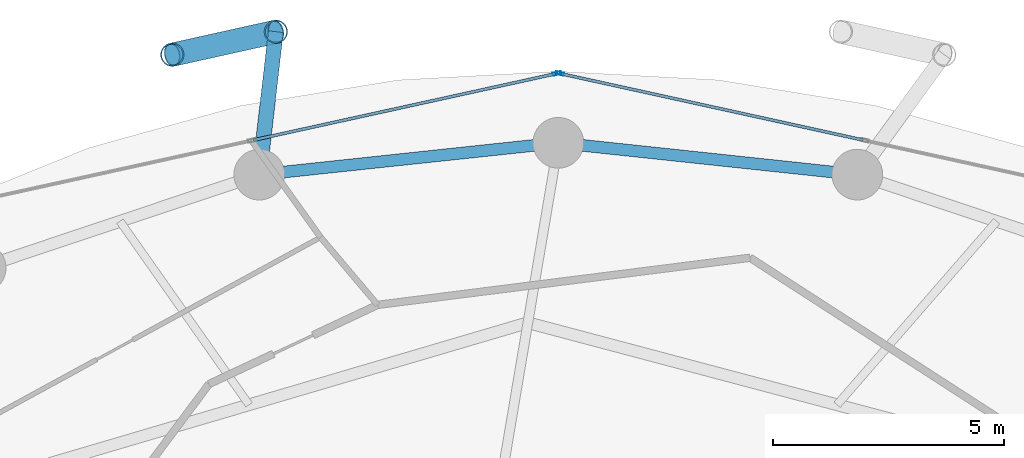
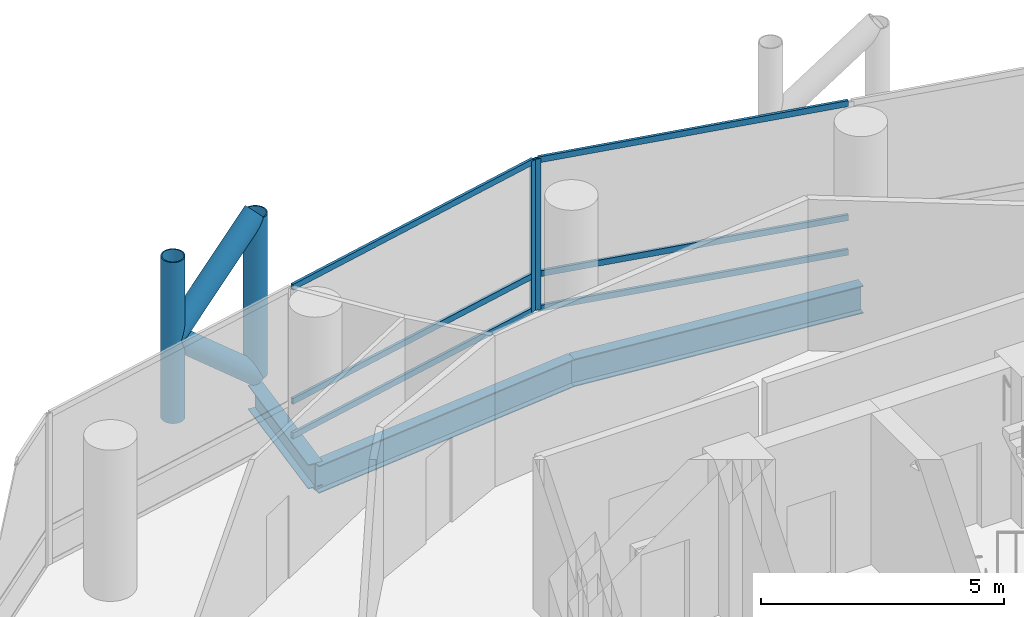
# One storey, part 16 of 24: 12 members, 3 beams, 2 elements without a shape of their own.
"""IFC4 building model written with IfcOpenShell, lengths in metres."""

import ifcopenshell
import ifcopenshell.guid

model = None  # the IFC model being written
_history = None  # IfcOwnerHistory: only IFC2X3 demands one
_inside = {}  # id of a spatial element -> (the spatial element, [elements in it])
_under = {}  # id of a project, library or spatial element -> (it, [spatial elements below it])
_declared = {}  # id of a project -> (the project, [libraries it declares])
_typed = {}  # id of a type object -> (the type object, [elements of that type])
_made_of = {}  # id of a material, layer set ... -> (it, [elements and type objects made of it])


def new_model(schema):
    """Start an empty IFC model of exactly this schema.

    Asked for "IFC4X3", IfcOpenShell would pick the latest addendum, in which some entities
    have other attributes; the version numbers below select the first issue.
    IFC2X3 requires an IfcOwnerHistory on every rooted entity: one is made here for all.
    """
    global model, _history
    if schema == "IFC4X3":
        model = ifcopenshell.file(schema_version=(4, 3, 0, 0))
    else:
        model = ifcopenshell.file(schema=schema)
    _inside.clear()
    _under.clear()
    _declared.clear()
    _typed.clear()
    _made_of.clear()
    _history = None
    if model.schema == "IFC2X3":
        org = make("IfcOrganization", Name="unknown")
        user = make(
            "IfcPersonAndOrganization",
            ThePerson=make("IfcPerson", FamilyName="unknown"),
            TheOrganization=org,
        )
        app = make(
            "IfcApplication",
            ApplicationDeveloper=org,
            Version="unknown",
            ApplicationFullName="unknown",
            ApplicationIdentifier="unknown",
        )
        _history = make(
            "IfcOwnerHistory",
            OwningUser=user,
            OwningApplication=app,
            ChangeAction="ADDED",
            CreationDate=0,
        )
    return model


def make(cls, **values):
    """One entity of the class cls with the attributes given. An attribute that is None is left unset."""
    return model.create_entity(
        cls, **{name: value for name, value in values.items() if value is not None}
    )


def rooted(cls, **values):
    """An entity with a GlobalId (a new one), such as an element, a storey or a relation."""
    return make(cls, GlobalId=ifcopenshell.guid.new(), OwnerHistory=_history, **values)


def si_unit(unit_type, name, prefix=None):
    """IfcSIUnit, for example si_unit("LENGTHUNIT", "METRE", prefix="MILLI")."""
    return make("IfcSIUnit", UnitType=unit_type, Prefix=prefix, Name=name)


def assignment(units):
    """IfcUnitAssignment: the units of a project."""
    return None if units is None else make("IfcUnitAssignment", Units=units)


def point(xyz):
    """IfcCartesianPoint."""
    return None if xyz is None else make("IfcCartesianPoint", Coordinates=xyz)


def direction(xyz):
    """IfcDirection."""
    return None if xyz is None else make("IfcDirection", DirectionRatios=xyz)


def frame(location, z_axis=None, x_axis=None):
    """IfcAxis2Placement3D, a coordinate frame: its origin and axes. An axis left out is left unset."""
    return make(
        "IfcAxis2Placement3D",
        Location=point(location),
        Axis=direction(z_axis),
        RefDirection=direction(x_axis),
    )


def frame_2d(location, x_axis=None):
    """IfcAxis2Placement2D, a coordinate frame in the plane: its origin and x axis."""
    return make(
        "IfcAxis2Placement2D", Location=point(location), RefDirection=direction(x_axis)
    )


def origin():
    """The frame at (0, 0, 0) with its axes left unset."""
    return frame((0.0, 0.0, 0.0))


def origin_2d():
    """The frame at (0, 0) in the plane with its x axis left unset."""
    return frame_2d((0.0, 0.0))


def place(relative_to, where):
    """IfcLocalPlacement: puts the frame where relative to a parent placement (None: the world)."""
    return make(
        "IfcLocalPlacement", PlacementRelTo=relative_to, RelativePlacement=where
    )


def context(
    kind, dimensions, precision=None, world=None, true_north=None, identifier=None
):
    """IfcGeometricRepresentationContext, for example the 3D "Model" context."""
    return make(
        "IfcGeometricRepresentationContext",
        ContextIdentifier=identifier,
        ContextType=kind,
        CoordinateSpaceDimension=dimensions,
        Precision=precision,
        WorldCoordinateSystem=world,
        TrueNorth=true_north,
    )


def subcontext(parent, identifier, kind, view, scale=None):
    """IfcGeometricRepresentationSubContext, for example "Body" below "Model"."""
    return make(
        "IfcGeometricRepresentationSubContext",
        ContextIdentifier=identifier,
        ContextType=kind,
        ParentContext=parent,
        TargetScale=scale,
        TargetView=view,
    )


def project(units=None, contexts=None):
    """IfcProject with its units and contexts."""
    return rooted(
        "IfcProject",
        Name="project",
        RepresentationContexts=contexts,
        UnitsInContext=assignment(units),
    )


def spatial(cls, under=None, at=None, **own):
    """A site, building, storey or space (cls), placed at a placement, below another one or the project."""
    s = rooted(cls, ObjectPlacement=at, **own)
    if under is not None:
        _under.setdefault(under.id(), (under, []))[1].append(s)
    return s


def profile(cls, at=None, kind="AREA", **sizes):
    """A parametric profile (cls). Its sizes go by their IFC names, for example OverallWidth=200.0."""
    return make(cls, ProfileType=kind, Position=at, **sizes)


def hollow_rectangle(**sizes):
    """IfcRectangleHollowProfileDef."""
    return profile("IfcRectangleHollowProfileDef", **sizes)


def hollow_circle(**sizes):
    """IfcCircleHollowProfileDef."""
    return profile("IfcCircleHollowProfileDef", **sizes)


def i_section(**sizes):
    """IfcIShapeProfileDef."""
    return profile("IfcIShapeProfileDef", **sizes)


def extrude(swept, where, along, depth):
    """IfcExtrudedAreaSolid: the profile swept, set in the frame where, extruded along a direction by depth."""
    return make(
        "IfcExtrudedAreaSolid",
        SweptArea=swept,
        Position=where,
        ExtrudedDirection=direction(along),
        Depth=depth,
    )


def shape(context_of_items, identifier, shape_type, items):
    """IfcShapeRepresentation: the items that make up one representation, for example the "Body"."""
    return make(
        "IfcShapeRepresentation",
        ContextOfItems=context_of_items,
        RepresentationIdentifier=identifier,
        RepresentationType=shape_type,
        Items=items,
    )


def material(Name=None, Category=None):
    """IfcMaterial."""
    return make("IfcMaterial", Name=Name, Category=Category)


def layer(
    of_material, thickness, ventilated=None, Name=None, Category=None, Priority=None
):
    """IfcMaterialLayer: one layer of a wall or slab, of a material (None: an air gap)."""
    return make(
        "IfcMaterialLayer",
        Material=of_material,
        LayerThickness=thickness,
        IsVentilated=ventilated,
        Name=Name,
        Category=Category,
        Priority=Priority,
    )


def layer_set(layers, Name=None):
    """IfcMaterialLayerSet."""
    return make("IfcMaterialLayerSet", MaterialLayers=layers, LayerSetName=Name)


def material_profile(
    of_material, cross_section, Name=None, Category=None, Priority=None
):
    """IfcMaterialProfile: a cross section and its material."""
    return make(
        "IfcMaterialProfile",
        Name=Name,
        Material=of_material,
        Profile=cross_section,
        Priority=Priority,
        Category=Category,
    )


def profile_set(profiles, Name=None, composite=None):
    """IfcMaterialProfileSet."""
    return make(
        "IfcMaterialProfileSet",
        Name=Name,
        MaterialProfiles=profiles,
        CompositeProfile=composite,
    )


def made_of(thing, what):
    """Note that an element or type object is made of a material, layer set ...; save() writes the relation."""
    if what is not None:
        _made_of.setdefault(what.id(), (what, []))[1].append(thing)
    return thing


def type_object(cls, material=None, **own):
    """A type object (cls), such as IfcWallType, which elements share."""
    return made_of(rooted(cls, **own), material)


def element(
    cls,
    number,
    at=None,
    inside=None,
    cuts=None,
    type_object=None,
    material=None,
    context=None,
    identifier="Body",
    shape_type=None,
    held_by="IfcProductDefinitionShape",
    body=None,
    shapes=None,
    **own,
):
    """One element of the class cls, such as IfcWall. Its Tag is "e" and its number.

    at: its placement. inside: the storey or other place that contains it. cuts: it is an
    opening in that element (IfcRelVoidsElement). A single representation is given by context,
    identifier, shape_type and body (its items); several are given by shapes. held_by: the class
    of the entity that holds the representations. save() writes the other relations.
    """
    e = rooted(cls, Tag="e%d" % number, ObjectPlacement=at, **own)
    if body is not None:
        shapes = [shape(context, identifier, shape_type, body)]
    if shapes is not None:
        e.Representation = make(held_by, Representations=shapes)
    if inside is not None:
        _inside.setdefault(inside.id(), (inside, []))[1].append(e)
    if cuts is not None:
        rooted(
            "IfcRelVoidsElement", RelatingBuildingElement=cuts, RelatedOpeningElement=e
        )
    if type_object is not None:
        _typed.setdefault(type_object.id(), (type_object, []))[1].append(e)
    return made_of(e, material)


def aggregate(whole, parts):
    """IfcRelAggregates: a whole, such as a stair, and the parts it consists of."""
    return rooted("IfcRelAggregates", RelatingObject=whole, RelatedObjects=parts)


def save(model, path):
    """Write the relations noted so far, then the file.

    IfcRelAggregates (storeys below a building ...), IfcRelContainedInSpatialStructure (elements
    in a storey), IfcRelDefinesByType, IfcRelAssociatesMaterial and IfcRelDeclares: one each for
    every whole, place, type object, material and project.
    """
    for whole, parts in _under.values():
        aggregate(whole, parts)
    for where, things in _inside.values():
        rooted(
            "IfcRelContainedInSpatialStructure",
            RelatedElements=things,
            RelatingStructure=where,
        )
    for kind, things in _typed.values():
        rooted("IfcRelDefinesByType", RelatedObjects=things, RelatingType=kind)
    for what, things in _made_of.values():
        rooted("IfcRelAssociatesMaterial", RelatedObjects=things, RelatingMaterial=what)
    for by, libraries in _declared.values():
        rooted("IfcRelDeclares", RelatingContext=by, RelatedDefinitions=libraries)
    model.write(path)


model = new_model("IFC4")

# Units and contexts
model_context = context("Model", 3, precision=1e-05, world=origin(), true_north=direction((0.0, 1.0)))
body_context = subcontext(model_context, "Body", "Model", "MODEL_VIEW")
ifc_project = project(units=[si_unit("LENGTHUNIT", "METRE"), si_unit("AREAUNIT", "SQUARE_METRE"), si_unit("VOLUMEUNIT", "CUBIC_METRE"), si_unit("PLANEANGLEUNIT", "RADIAN"), si_unit("MASSUNIT", "GRAM", prefix="KILO")], contexts=[model_context])

# Site, building, storey
site_placement = place(None, origin())
site = spatial("IfcSite", under=ifc_project, at=site_placement, CompositionType="ELEMENT")
building_placement = place(site_placement, origin())
building = spatial("IfcBuilding", under=site, at=building_placement, Name="Nuhasar Tower", CompositionType="ELEMENT")
storey_placement = place(building_placement, frame((0.0, 0.0, 89.85009765625)))
storey = spatial("IfcBuildingStorey", under=building, at=storey_placement, Name="L21", CompositionType="ELEMENT", Elevation=89.85009765625)

# Beams
ifc_material_1 = material(Name="Steel S355", Category="steel")
ifc_material_profile_1 = material_profile(ifc_material_1, i_section(OverallWidth=0.256103515625, OverallDepth=0.693115234375, WebThickness=0.014404296875, FlangeThickness=0.023681640625, at=origin_2d()), Name="W27X114")
ifc_profile_set_1 = profile_set([ifc_material_profile_1], Name="Steel S355")
beam_type_1 = type_object("IfcBeamType", Name="BM-RING-W27X114", PredefinedType="SPANDREL", material=ifc_profile_set_1)
for number, where, z_axis, x_axis, name in (
    (1, (45.48291015625, 46.360107421875, -0.59716796875), (-0.994384554061, 0.105827022286, 0.0), (-0.105827022286, -0.994384554061, 0.0), "L21 Perimeter Ring Spandrel 06"),
    (2, (39.0, 47.050048828125, -0.59716796875), (-0.994384554061, -0.105827022286, 0.0), (0.105827022286, -0.994384554061, 0.0), "L21 Perimeter Ring Spandrel 07"),
):
    element("IfcBeam", number, at=place(storey_placement, frame(where, z_axis=z_axis, x_axis=x_axis)), inside=storey, type_object=beam_type_1, Name=name, PredefinedType="SPANDREL", context=body_context, shape_type="SweptSolid", body=[
        extrude(i_section(OverallWidth=0.256103515625, OverallDepth=0.693115234375, WebThickness=0.014404296875, FlangeThickness=0.023681640625, at=origin_2d()), origin(), (0.0, 0.0, 1.0), 6.51953125),
    ])
ifc_material_profile_2 = material_profile(ifc_material_1, i_section(OverallWidth=0.323974609375, OverallDepth=0.611083984375, WebThickness=0.0126953125, FlangeThickness=0.01904296875, at=origin_2d()), Name="W24X104")
ifc_profile_set_2 = profile_set([ifc_material_profile_2], Name="Steel S355")
beam_type_2 = type_object("IfcBeamType", Name="BM-TIE-W24X104", PredefinedType="BEAM", material=ifc_profile_set_2)
beam_placement = place(storey_placement, frame((32.51708984375, 46.360107421875, -0.55615234375), z_axis=(0.115042934281, 0.993360520291, 0.0), x_axis=(-0.993360520291, 0.115042934281, 0.0)))
element("IfcBeam", 3, at=beam_placement, inside=storey, type_object=beam_type_2, Name="L21 Exoskeleton Node Tie Beam 04", PredefinedType="BEAM", context=body_context, shape_type="SweptSolid", body=[
    extrude(i_section(OverallWidth=0.323974609375, OverallDepth=0.611083984375, WebThickness=0.0126953125, FlangeThickness=0.01904296875, at=origin_2d()), origin(), (0.0, 0.0, 1.0), 3.11962890625),
])

# Curtain wall, member
ifc_material_2 = material(Name="Aluminium 6063-T6", Category="aluminium")
ifc_layer = layer(ifc_material_2, 0.199951171875)
ifc_layer_set = layer_set([ifc_layer], Name="Aluminium 6063-T6")
curtain_wall_type = type_object("IfcCurtainWallType", Name="CW-Z1-OFF", PredefinedType="NOTDEFINED", material=ifc_layer_set)
curtain_wall_1_placement = place(storey_placement, origin())
curtain_wall_1 = element("IfcCurtainWall", 4, at=curtain_wall_1_placement, inside=storey, type_object=curtain_wall_type, Name="L21 Unitised Curtain Wall 03", PredefinedType="NOTDEFINED")
ifc_material_profile_3 = material_profile(ifc_material_2, hollow_rectangle(XDim=0.06494140625, YDim=0.179931640625, WallThickness=0.0048828125, at=origin_2d()), Name="CWM-2")
ifc_profile_set_3 = profile_set([ifc_material_profile_3], Name="Aluminium 6063-T6")
member_type_1 = type_object("IfcMemberType", Name="CW-MUL-S2", PredefinedType="MULLION", material=ifc_profile_set_3)
member_1_placement = place(storey_placement, frame((39.03173828125, 48.552978515625, 0.0), z_axis=(0.0, 0.0, 1.0), x_axis=(-0.214398737637, -0.976746221544, 0.0)))
member_1 = element("IfcMember", 5, at=member_1_placement, type_object=member_type_1, Name="CW-Z1 mullion 3", PredefinedType="MULLION", context=body_context, shape_type="SweptSolid", body=[
    extrude(hollow_rectangle(XDim=0.06494140625, YDim=0.179931640625, WallThickness=0.0048828125, at=origin_2d()), origin(), (0.0, 0.0, 1.0), 3.7998046875),
])

curtain_wall_2_placement = place(storey_placement, origin())
curtain_wall_2 = element("IfcCurtainWall", 6, at=curtain_wall_2_placement, inside=storey, type_object=curtain_wall_type, Name="L21 Unitised Curtain Wall 04", PredefinedType="NOTDEFINED")
member_2_placement = place(storey_placement, frame((38.96826171875, 48.552978515625, 0.0), z_axis=(0.0, 0.0, 1.0), x_axis=(0.214398737637, -0.976746221544, 0.0)))
member_2 = element("IfcMember", 7, at=member_2_placement, type_object=member_type_1, Name="CW-Z1 mullion 1", PredefinedType="MULLION", context=body_context, shape_type="SweptSolid", body=[
    extrude(hollow_rectangle(XDim=0.06494140625, YDim=0.179931640625, WallThickness=0.0048828125, at=origin_2d()), origin(), (0.0, 0.0, 1.0), 3.7998046875),
])

# Member
ifc_material_profile_4 = material_profile(ifc_material_2, hollow_rectangle(XDim=0.06494140625, YDim=0.14990234375, WallThickness=0.00439453125, at=origin_2d()), Name="CWT-2")
ifc_profile_set_4 = profile_set([ifc_material_profile_4], Name="Aluminium 6063-T6")
member_type_2 = type_object("IfcMemberType", Name="CW-TRN-S2", PredefinedType="USERDEFINED", material=ifc_profile_set_4)
member_3_placement = place(storey_placement, frame((45.608154296875, 47.109375, 0.032470703125), z_axis=(-0.976740248595, 0.214425947065, 0.0), x_axis=(-0.214425947065, -0.976740248595, 0.0)))
member_3 = element("IfcMember", 8, at=member_3_placement, type_object=member_type_2, Name="CW-Z1 transom 2.1", ObjectType="TRANSOM", PredefinedType="USERDEFINED", context=body_context, shape_type="SweptSolid", body=[
    extrude(hollow_rectangle(XDim=0.06494140625, YDim=0.14990234375, WallThickness=0.00439453125, at=origin_2d()), origin(), (0.0, 0.0, 1.0), 6.700439453125),
])

member_4_placement = place(storey_placement, frame((45.608154296875, 47.109375, 0.89990234375), z_axis=(-0.976740248595, 0.214425947065, 0.0), x_axis=(-0.214425947065, -0.976740248595, 0.0)))
member_4 = element("IfcMember", 9, at=member_4_placement, type_object=member_type_2, Name="CW-Z1 transom 2.2", ObjectType="TRANSOM", PredefinedType="USERDEFINED", context=body_context, shape_type="SweptSolid", body=[
    extrude(hollow_rectangle(XDim=0.06494140625, YDim=0.14990234375, WallThickness=0.00439453125, at=origin_2d()), origin(), (0.0, 0.0, 1.0), 6.700439453125),
])

member_5_placement = place(storey_placement, frame((45.608154296875, 47.109375, 3.767333984375), z_axis=(-0.976740248595, 0.214425947065, 0.0), x_axis=(-0.214425947065, -0.976740248595, 0.0)))
member_5 = element("IfcMember", 10, at=member_5_placement, type_object=member_type_2, Name="CW-Z1 transom 2.3", ObjectType="TRANSOM", PredefinedType="USERDEFINED", context=body_context, shape_type="SweptSolid", body=[
    extrude(hollow_rectangle(XDim=0.06494140625, YDim=0.14990234375, WallThickness=0.00439453125, at=origin_2d()), origin(), (0.0, 0.0, 1.0), 6.700439453125),
])

aggregate(curtain_wall_1, [member_1, member_3, member_4, member_5])

member_6_placement = place(storey_placement, frame((38.9365234375, 48.546142578125, 0.032470703125), z_axis=(-0.976740248595, -0.214425947065, 0.0), x_axis=(0.214425947065, -0.976740248595, 0.0)))
member_6 = element("IfcMember", 11, at=member_6_placement, type_object=member_type_2, Name="CW-Z1 transom 1.1", ObjectType="TRANSOM", PredefinedType="USERDEFINED", context=body_context, shape_type="SweptSolid", body=[
    extrude(hollow_rectangle(XDim=0.06494140625, YDim=0.14990234375, WallThickness=0.00439453125, at=origin_2d()), origin(), (0.0, 0.0, 1.0), 6.700439453125),
])

member_7_placement = place(storey_placement, frame((38.9365234375, 48.546142578125, 0.89990234375), z_axis=(-0.976740248595, -0.214425947065, 0.0), x_axis=(0.214425947065, -0.976740248595, 0.0)))
member_7 = element("IfcMember", 12, at=member_7_placement, type_object=member_type_2, Name="CW-Z1 transom 1.2", ObjectType="TRANSOM", PredefinedType="USERDEFINED", context=body_context, shape_type="SweptSolid", body=[
    extrude(hollow_rectangle(XDim=0.06494140625, YDim=0.14990234375, WallThickness=0.00439453125, at=origin_2d()), origin(), (0.0, 0.0, 1.0), 6.700439453125),
])

member_8_placement = place(storey_placement, frame((38.9365234375, 48.546142578125, 3.767333984375), z_axis=(-0.976740248595, -0.214425947065, 0.0), x_axis=(0.214425947065, -0.976740248595, 0.0)))
member_8 = element("IfcMember", 13, at=member_8_placement, type_object=member_type_2, Name="CW-Z1 transom 1.3", ObjectType="TRANSOM", PredefinedType="USERDEFINED", context=body_context, shape_type="SweptSolid", body=[
    extrude(hollow_rectangle(XDim=0.06494140625, YDim=0.14990234375, WallThickness=0.00439453125, at=origin_2d()), origin(), (0.0, 0.0, 1.0), 6.700439453125),
])

aggregate(curtain_wall_2, [member_2, member_6, member_7, member_8])

# Members
ifc_material_3 = material(Name="Steel S460", Category="steel")
ifc_material_profile_5 = material_profile(ifc_material_3, hollow_circle(Radius=0.25390625, WallThickness=0.025390625, at=origin_2d()), Name="HSS508X25.4")
ifc_profile_set_5 = profile_set([ifc_material_profile_5], Name="Steel S460")
member_type_3 = type_object("IfcMemberType", Name="EXO-BRONZE-508", PredefinedType="BRACE", material=ifc_profile_set_5)
for number, where, z_axis, x_axis, name in (
    (14, (32.8759765625, 49.458984375, 0.0), (0.0, 0.0, 1.0), (1.0, 0.0, 0.0), "L21 Exoskeleton Chord Column EC-04A"),
    (15, (30.6298828125, 48.9599609375, 0.0), (0.0, 0.0, 1.0), (1.0, 0.0, 0.0), "L21 Exoskeleton Chord Column EC-04B"),
):
    element("IfcMember", number, at=place(storey_placement, frame(where, z_axis=z_axis, x_axis=x_axis)), inside=storey, type_object=member_type_3, Name=name, PredefinedType="BRACE", context=body_context, shape_type="SweptSolid", body=[
        extrude(hollow_circle(Radius=0.25390625, WallThickness=0.025390625, at=origin_2d()), origin(), (0.0, 0.0, 1.0), 4.0498046875),
    ])
for number, where, z_axis, x_axis, name in (
    (16, (32.8759765625, 49.458984375, 0.0), (-0.732821471909, -0.162813813976, 0.660654487828), (0.216885517571, -0.97619704582, 0.0), "L21 Bronze Diagrid Brace W1-04"),
    (17, (30.6298828125, 48.9599609375, 2.02490234375), (0.732821471909, 0.162813813976, 0.660654487828), (-0.216885517571, 0.97619704582, 0.0), "L21 Bronze Diagrid Brace W2-04"),
):
    element("IfcMember", number, at=place(storey_placement, frame(where, z_axis=z_axis, x_axis=x_axis)), inside=storey, type_object=member_type_3, Name=name, PredefinedType="BRACE", context=body_context, shape_type="SweptSolid", body=[
        extrude(hollow_circle(Radius=0.25390625, WallThickness=0.025390625, at=origin_2d()), origin(), (0.0, 0.0, 1.0), 3.06494140625),
    ])

save(model, "model.ifc")
